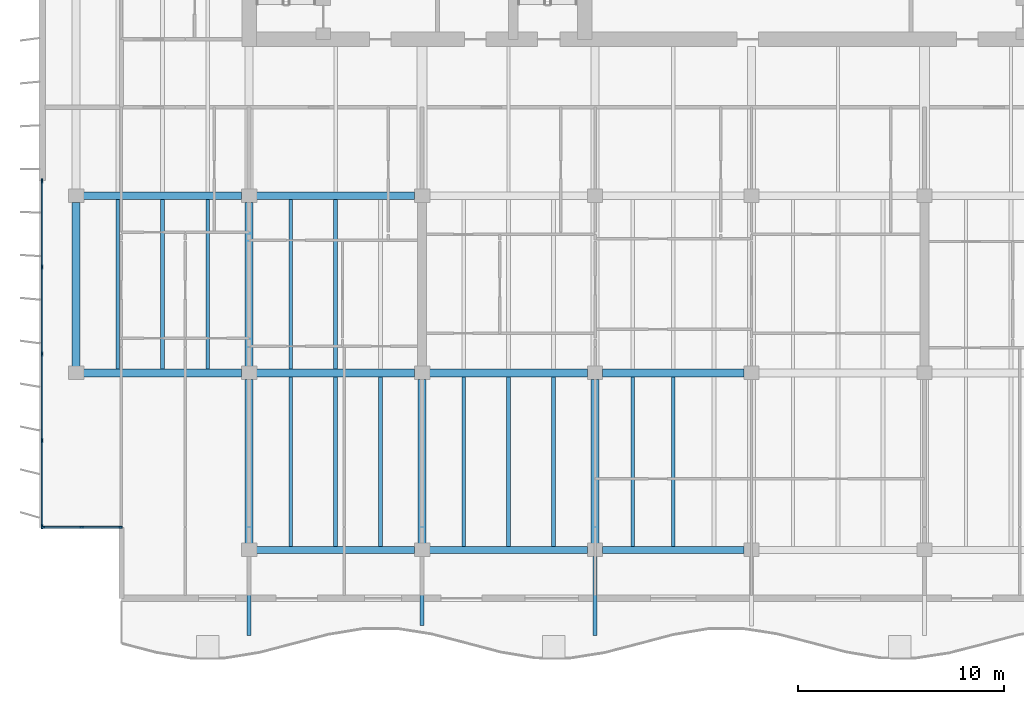
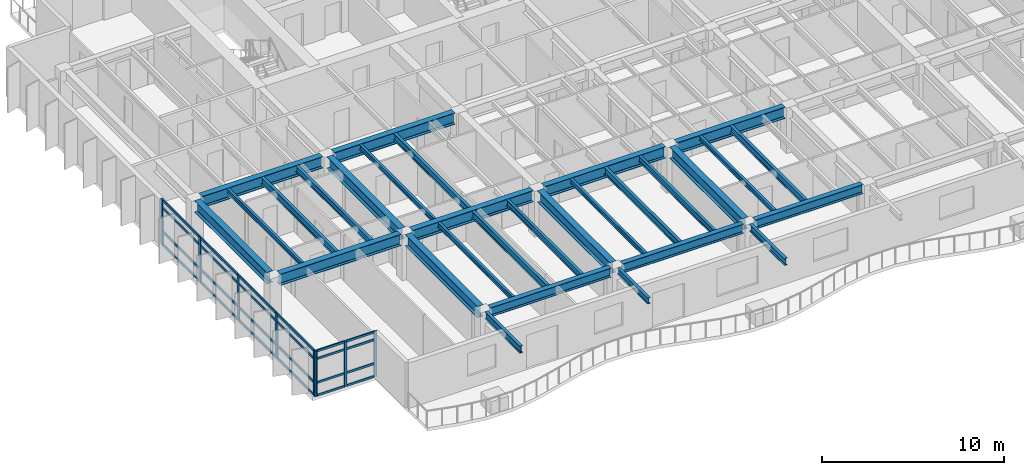
# One storey, part 2 of 17: 32 members, 30 beams, 2 elements without a shape of their own.
"""IFC4 building model written with IfcOpenShell, lengths in metres."""

from ifc_helpers import new_model, si_unit, direction, frame, origin, origin_2d, place, context, subcontext, project, spatial, rectangle, i_section, extrude, material, layer, layer_set, material_profile, profile_set, type_object, element, aggregate, save


model = new_model("IFC4")

# Units and contexts
model_context = context("Model", 3, precision=1e-05, world=origin(), true_north=direction((0.0, 1.0)))
body_context = subcontext(model_context, "Body", "Model", "MODEL_VIEW")
ifc_project = project(units=[si_unit("LENGTHUNIT", "METRE"), si_unit("AREAUNIT", "SQUARE_METRE"), si_unit("VOLUMEUNIT", "CUBIC_METRE"), si_unit("PLANEANGLEUNIT", "RADIAN"), si_unit("MASSUNIT", "GRAM", prefix="KILO")], contexts=[model_context])

# Site, building, storey
site_placement = place(None, origin())
site = spatial("IfcSite", under=ifc_project, at=site_placement, CompositionType="ELEMENT")
building_placement = place(site_placement, origin())
building = spatial("IfcBuilding", under=site, at=building_placement, Name="Caelmar Bay Residences", CompositionType="ELEMENT")
storey_placement = place(building_placement, frame((0.0, 0.0, 246.300048828125)))
storey = spatial("IfcBuildingStorey", under=building, at=storey_placement, Name="L69", CompositionType="ELEMENT", Elevation=246.300048828125)

# Beams
ifc_material_1 = material(Name="Steel ASTM A992 Grade 50", Category="steel")
ifc_material_profile_1 = material_profile(ifc_material_1, i_section(OverallWidth=0.177978515625, OverallDepth=0.406005859375, WebThickness=0.0078125, FlangeThickness=0.0126953125, FilletRadius=0.0087890625, at=origin_2d()), Name="W16X40")
ifc_profile_set_1 = profile_set([ifc_material_profile_1], Name="Steel ASTM A992 Grade 50")
beam_type_1 = type_object("IfcBeamType", Name="BM-BAL-W16X40", PredefinedType="JOIST", material=ifc_profile_set_1)
for number, where, z_axis, x_axis, name in (
    (1, (24.68408203125, 12.362548828125, 2.846923828125), (0.0, 1.0, 0.0), (-1.0, 0.0, 0.0), "L69 Composite Floor Joist 3"),
    (2, (33.083984375, 12.362548828125, 2.846923828125), (0.0, 1.0, 0.0), (-1.0, 0.0, 0.0), "L69 Composite Floor Joist 6"),
):
    element("IfcBeam", number, at=place(storey_placement, frame(where, z_axis=z_axis, x_axis=x_axis)), inside=storey, type_object=beam_type_1, Name=name, PredefinedType="JOIST", context=body_context, shape_type="SweptSolid", body=[
        extrude(i_section(OverallWidth=0.177978515625, OverallDepth=0.406005859375, WebThickness=0.0078125, FlangeThickness=0.0126953125, FilletRadius=0.0087890625, at=origin_2d()), origin(), (0.0, 0.0, 1.0), 8.2470703125),
    ])
beam_1_placement = place(storey_placement, frame((16.283935546875, 20.990478515625, 2.846923828125), z_axis=(0.0, 1.0, 0.0), x_axis=(-1.0, 0.0, 0.0)))
element("IfcBeam", 3, at=beam_1_placement, inside=storey, type_object=beam_type_1, Name="L69 Composite Floor Joist 18", PredefinedType="JOIST", context=body_context, shape_type="SweptSolid", body=[
    extrude(i_section(OverallWidth=0.177978515625, OverallDepth=0.406005859375, WebThickness=0.0078125, FlangeThickness=0.0126953125, FilletRadius=0.0087890625, at=origin_2d()), origin(), (0.0, 0.0, 1.0), 8.218994140625),
])
beam_2_placement = place(storey_placement, frame((26.699951171875, 11.885009765625, 2.846923828125), z_axis=(0.0, -1.0, 0.0), x_axis=(1.0, 0.0, 0.0)))
element("IfcBeam", 4, at=beam_2_placement, inside=storey, type_object=beam_type_1, Name="L70 South Balcony Cantilever Bracket 2", PredefinedType="JOIST", context=body_context, shape_type="SweptSolid", body=[
    extrude(i_section(OverallWidth=0.177978515625, OverallDepth=0.406005859375, WebThickness=0.0078125, FlangeThickness=0.0126953125, FilletRadius=0.0087890625, at=origin_2d()), origin(), (0.0, 0.0, 1.0), 3.3603515625),
])
ifc_material_profile_2 = material_profile(ifc_material_1, i_section(OverallWidth=0.193115234375, OverallDepth=0.467041015625, WebThickness=0.011474609375, FlangeThickness=0.01904296875, FilletRadius=0.01025390625, at=origin_2d()), Name="W18X65")
ifc_profile_set_2 = profile_set([ifc_material_profile_2], Name="Steel ASTM A992 Grade 50")
beam_type_2 = type_object("IfcBeamType", Name="BM-BAL-W18X65", PredefinedType="BEAM", material=ifc_profile_set_2)
for number, where, z_axis, x_axis, name in (
    (5, (18.300048828125, 11.885009765625, 2.81640625), (0.0, -1.0, 0.0), (1.0, 0.0, 0.0), "L70 South Balcony Cantilever Bracket 1"),
    (6, (35.10009765625, 11.885009765625, 2.81640625), (0.0, -1.0, 0.0), (1.0, 0.0, 0.0), "L70 South Balcony Cantilever Bracket 3"),
):
    element("IfcBeam", number, at=place(storey_placement, frame(where, z_axis=z_axis, x_axis=x_axis)), inside=storey, type_object=beam_type_2, Name=name, PredefinedType="BEAM", context=body_context, shape_type="SweptSolid", body=[
        extrude(i_section(OverallWidth=0.193115234375, OverallDepth=0.467041015625, WebThickness=0.011474609375, FlangeThickness=0.01904296875, FilletRadius=0.01025390625, at=origin_2d()), origin(), (0.0, 0.0, 1.0), 3.85009765625),
    ])
ifc_material_profile_3 = material_profile(ifc_material_1, i_section(OverallWidth=0.381103515625, OverallDepth=0.77197265625, WebThickness=0.0166015625, FlangeThickness=0.027099609375, FilletRadius=0.0166015625, at=origin_2d()), Name="W30X173")
ifc_profile_set_3 = profile_set([ifc_material_profile_3], Name="Steel ASTM A992 Grade 50")
beam_type_3 = type_object("IfcBeamType", Name="BM-GRD-W30X173", PredefinedType="BEAM", material=ifc_profile_set_3)
beam_3_placement = place(storey_placement, frame((10.264892578125, 20.800048828125, 2.6640625), z_axis=(1.0, 0.0, 0.0), x_axis=(0.0, 1.0, 0.0)))
element("IfcBeam", 7, at=beam_3_placement, inside=storey, type_object=beam_type_3, Name="L69 East-West Girder Y=20.80 (9.9-18.3)", PredefinedType="BEAM", context=body_context, shape_type="SweptSolid", body=[
    extrude(i_section(OverallWidth=0.381103515625, OverallDepth=0.77197265625, WebThickness=0.0166015625, FlangeThickness=0.027099609375, FilletRadius=0.0166015625, at=origin_2d()), origin(), (0.0, 0.0, 1.0), 7.670166015625),
])
beam_4_placement = place(storey_placement, frame((18.6650390625, 20.800048828125, 2.6640625), z_axis=(1.0, 0.0, 0.0), x_axis=(0.0, 1.0, 0.0)))
element("IfcBeam", 8, at=beam_4_placement, inside=storey, type_object=beam_type_3, Name="L69 East-West Girder Y=20.80 (18.3-26.7)", PredefinedType="BEAM", context=body_context, shape_type="SweptSolid", body=[
    extrude(i_section(OverallWidth=0.381103515625, OverallDepth=0.77197265625, WebThickness=0.0166015625, FlangeThickness=0.027099609375, FilletRadius=0.0166015625, at=origin_2d()), origin(), (0.0, 0.0, 1.0), 7.669921875),
])
beam_5_placement = place(storey_placement, frame((27.06494140625, 20.800048828125, 2.6640625), z_axis=(1.0, 0.0, 0.0), x_axis=(0.0, 1.0, 0.0)))
element("IfcBeam", 9, at=beam_5_placement, inside=storey, type_object=beam_type_3, Name="L69 East-West Girder Y=20.80 (26.7-35.1)", PredefinedType="BEAM", context=body_context, shape_type="SweptSolid", body=[
    extrude(i_section(OverallWidth=0.381103515625, OverallDepth=0.77197265625, WebThickness=0.0166015625, FlangeThickness=0.027099609375, FilletRadius=0.0166015625, at=origin_2d()), origin(), (0.0, 0.0, 1.0), 7.670166015625),
])
beam_6_placement = place(storey_placement, frame((35.465087890625, 20.800048828125, 2.6640625), z_axis=(1.0, 0.0, 0.0), x_axis=(0.0, 1.0, 0.0)))
element("IfcBeam", 10, at=beam_6_placement, inside=storey, type_object=beam_type_3, Name="L69 East-West Girder Y=20.80 (35.1-42.7)", PredefinedType="BEAM", context=body_context, shape_type="SweptSolid", body=[
    extrude(i_section(OverallWidth=0.381103515625, OverallDepth=0.77197265625, WebThickness=0.0166015625, FlangeThickness=0.027099609375, FilletRadius=0.0166015625, at=origin_2d()), origin(), (0.0, 0.0, 1.0), 6.869873046875),
])
beam_7_placement = place(storey_placement, frame((10.264892578125, 29.39990234375, 2.6640625), z_axis=(1.0, 0.0, 0.0), x_axis=(0.0, 1.0, 0.0)))
element("IfcBeam", 11, at=beam_7_placement, inside=storey, type_object=beam_type_3, Name="L69 East-West Girder Y=29.40 (9.9-18.3)", PredefinedType="BEAM", context=body_context, shape_type="SweptSolid", body=[
    extrude(i_section(OverallWidth=0.381103515625, OverallDepth=0.77197265625, WebThickness=0.0166015625, FlangeThickness=0.027099609375, FilletRadius=0.0166015625, at=origin_2d()), origin(), (0.0, 0.0, 1.0), 7.670166015625),
])
beam_8_placement = place(storey_placement, frame((18.6650390625, 29.39990234375, 2.6640625), z_axis=(1.0, 0.0, 0.0), x_axis=(0.0, 1.0, 0.0)))
element("IfcBeam", 12, at=beam_8_placement, inside=storey, type_object=beam_type_3, Name="L69 East-West Girder Y=29.40 (18.3-26.7)", PredefinedType="BEAM", context=body_context, shape_type="SweptSolid", body=[
    extrude(i_section(OverallWidth=0.381103515625, OverallDepth=0.77197265625, WebThickness=0.0166015625, FlangeThickness=0.027099609375, FilletRadius=0.0166015625, at=origin_2d()), origin(), (0.0, 0.0, 1.0), 7.669921875),
])
beam_9_placement = place(storey_placement, frame((9.89990234375, 21.114990234375, 2.6640625), z_axis=(0.0, 1.0, 0.0), x_axis=(-1.0, 0.0, 0.0)))
element("IfcBeam", 13, at=beam_9_placement, inside=storey, type_object=beam_type_3, Name="L69 North-South Girder X=9.90 (20.8-29.4)", PredefinedType="BEAM", context=body_context, shape_type="SweptSolid", body=[
    extrude(i_section(OverallWidth=0.381103515625, OverallDepth=0.77197265625, WebThickness=0.0166015625, FlangeThickness=0.027099609375, FilletRadius=0.0166015625, at=origin_2d()), origin(), (0.0, 0.0, 1.0), 7.969970703125),
])
beam_10_placement = place(storey_placement, frame((18.300048828125, 12.514892578125, 2.6640625), z_axis=(0.0, 1.0, 0.0), x_axis=(-1.0, 0.0, 0.0)))
element("IfcBeam", 14, at=beam_10_placement, inside=storey, type_object=beam_type_3, Name="L69 North-South Girder X=18.30 (12.2-20.8)", PredefinedType="BEAM", context=body_context, shape_type="SweptSolid", body=[
    extrude(i_section(OverallWidth=0.381103515625, OverallDepth=0.77197265625, WebThickness=0.0166015625, FlangeThickness=0.027099609375, FilletRadius=0.0166015625, at=origin_2d()), origin(), (0.0, 0.0, 1.0), 7.97021484375),
])
beam_11_placement = place(storey_placement, frame((18.300048828125, 21.114990234375, 2.6640625), z_axis=(0.0, 1.0, 0.0), x_axis=(-1.0, 0.0, 0.0)))
element("IfcBeam", 15, at=beam_11_placement, inside=storey, type_object=beam_type_3, Name="L69 North-South Girder X=18.30 (20.8-29.4)", PredefinedType="BEAM", context=body_context, shape_type="SweptSolid", body=[
    extrude(i_section(OverallWidth=0.381103515625, OverallDepth=0.77197265625, WebThickness=0.0166015625, FlangeThickness=0.027099609375, FilletRadius=0.0166015625, at=origin_2d()), origin(), (0.0, 0.0, 1.0), 7.969970703125),
])
for number, where, z_axis, x_axis, name in (
    (16, (26.699951171875, 12.514892578125, 2.6640625), (0.0, 1.0, 0.0), (-1.0, 0.0, 0.0), "L69 North-South Girder X=26.70 (12.2-20.8)"),
    (17, (35.10009765625, 12.514892578125, 2.6640625), (0.0, 1.0, 0.0), (-1.0, 0.0, 0.0), "L69 North-South Girder X=35.10 (12.2-20.8)"),
):
    element("IfcBeam", number, at=place(storey_placement, frame(where, z_axis=z_axis, x_axis=x_axis)), inside=storey, type_object=beam_type_3, Name=name, PredefinedType="BEAM", context=body_context, shape_type="SweptSolid", body=[
        extrude(i_section(OverallWidth=0.381103515625, OverallDepth=0.77197265625, WebThickness=0.0166015625, FlangeThickness=0.027099609375, FilletRadius=0.0166015625, at=origin_2d()), origin(), (0.0, 0.0, 1.0), 7.97021484375),
    ])
ifc_material_profile_4 = material_profile(ifc_material_1, i_section(OverallWidth=0.1650390625, OverallDepth=0.31005859375, WebThickness=0.005859375, FlangeThickness=0.009765625, FilletRadius=0.007568359375, at=origin_2d()), Name="W12X26")
ifc_profile_set_4 = profile_set([ifc_material_profile_4], Name="Steel ASTM A992 Grade 50")
beam_type_4 = type_object("IfcBeamType", Name="BM-JST-W12X26", PredefinedType="JOIST", material=ifc_profile_set_4)
for number, where, z_axis, x_axis, name in (
    (18, (20.31591796875, 12.362548828125, 2.89501953125), (0.0, 1.0, 0.0), (-1.0, 0.0, 0.0), "L69 Composite Floor Joist 1"),
    (19, (28.716064453125, 12.362548828125, 2.89501953125), (0.0, 1.0, 0.0), (-1.0, 0.0, 0.0), "L69 Composite Floor Joist 4"),
    (20, (36.924072265625, 12.362548828125, 2.89501953125), (0.0, 1.0, 0.0), (-1.0, 0.0, 0.0), "L69 Composite Floor Joist 7"),
):
    element("IfcBeam", number, at=place(storey_placement, frame(where, z_axis=z_axis, x_axis=x_axis)), inside=storey, type_object=beam_type_4, Name=name, PredefinedType="JOIST", context=body_context, shape_type="SweptSolid", body=[
        extrude(i_section(OverallWidth=0.1650390625, OverallDepth=0.31005859375, WebThickness=0.005859375, FlangeThickness=0.009765625, FilletRadius=0.007568359375, at=origin_2d()), origin(), (0.0, 0.0, 1.0), 8.2470703125),
    ])
for number, where, z_axis, x_axis, name in (
    (21, (11.916015625, 20.990478515625, 2.89501953125), (0.0, 1.0, 0.0), (-1.0, 0.0, 0.0), "L69 Composite Floor Joist 16"),
    (22, (20.31591796875, 20.990478515625, 2.89501953125), (0.0, 1.0, 0.0), (-1.0, 0.0, 0.0), "L69 Composite Floor Joist 19"),
):
    element("IfcBeam", number, at=place(storey_placement, frame(where, z_axis=z_axis, x_axis=x_axis)), inside=storey, type_object=beam_type_4, Name=name, PredefinedType="JOIST", context=body_context, shape_type="SweptSolid", body=[
        extrude(i_section(OverallWidth=0.1650390625, OverallDepth=0.31005859375, WebThickness=0.005859375, FlangeThickness=0.009765625, FilletRadius=0.007568359375, at=origin_2d()), origin(), (0.0, 0.0, 1.0), 8.218994140625),
    ])
ifc_material_profile_5 = material_profile(ifc_material_1, i_section(OverallWidth=0.19091796875, OverallDepth=0.45703125, WebThickness=0.009033203125, FlangeThickness=0.014404296875, FilletRadius=0.01025390625, at=origin_2d()), Name="W18X50")
ifc_profile_set_5 = profile_set([ifc_material_profile_5], Name="Steel ASTM A992 Grade 50")
beam_type_5 = type_object("IfcBeamType", Name="BM-JST-W18X50", PredefinedType="JOIST", material=ifc_profile_set_5)
for number, where, z_axis, x_axis, name in (
    (23, (22.5, 12.362548828125, 2.821533203125), (0.0, 1.0, 0.0), (-1.0, 0.0, 0.0), "L69 Composite Floor Joist 2"),
    (24, (30.89990234375, 12.362548828125, 2.821533203125), (0.0, 1.0, 0.0), (-1.0, 0.0, 0.0), "L69 Composite Floor Joist 5"),
    (25, (38.89990234375, 12.362548828125, 2.821533203125), (0.0, 1.0, 0.0), (-1.0, 0.0, 0.0), "L69 Composite Floor Joist 8"),
):
    element("IfcBeam", number, at=place(storey_placement, frame(where, z_axis=z_axis, x_axis=x_axis)), inside=storey, type_object=beam_type_5, Name=name, PredefinedType="JOIST", context=body_context, shape_type="SweptSolid", body=[
        extrude(i_section(OverallWidth=0.19091796875, OverallDepth=0.45703125, WebThickness=0.009033203125, FlangeThickness=0.014404296875, FilletRadius=0.01025390625, at=origin_2d()), origin(), (0.0, 0.0, 1.0), 8.2470703125),
    ])
for number, where, z_axis, x_axis, name in (
    (26, (14.10009765625, 20.990478515625, 2.821533203125), (0.0, 1.0, 0.0), (-1.0, 0.0, 0.0), "L69 Composite Floor Joist 17"),
    (27, (22.5, 20.990478515625, 2.821533203125), (0.0, 1.0, 0.0), (-1.0, 0.0, 0.0), "L69 Composite Floor Joist 20"),
):
    element("IfcBeam", number, at=place(storey_placement, frame(where, z_axis=z_axis, x_axis=x_axis)), inside=storey, type_object=beam_type_5, Name=name, PredefinedType="JOIST", context=body_context, shape_type="SweptSolid", body=[
        extrude(i_section(OverallWidth=0.19091796875, OverallDepth=0.45703125, WebThickness=0.009033203125, FlangeThickness=0.014404296875, FilletRadius=0.01025390625, at=origin_2d()), origin(), (0.0, 0.0, 1.0), 8.218994140625),
    ])
ifc_material_profile_6 = material_profile(ifc_material_1, i_section(OverallWidth=0.324951171875, OverallDepth=0.616943359375, WebThickness=0.013916015625, FlangeThickness=0.021484375, FilletRadius=0.0126953125, at=origin_2d()), Name="W24X117")
ifc_profile_set_6 = profile_set([ifc_material_profile_6], Name="Steel ASTM A992 Grade 50")
beam_type_6 = type_object("IfcBeamType", Name="BM-SPN-W24X117", PredefinedType="SPANDREL", material=ifc_profile_set_6)
beam_12_placement = place(storey_placement, frame((18.6650390625, 12.199951171875, 2.741455078125), z_axis=(1.0, 0.0, 0.0), x_axis=(0.0, 1.0, 0.0)))
element("IfcBeam", 28, at=beam_12_placement, inside=storey, type_object=beam_type_6, Name="L69 East-West Girder Y=12.20 (18.3-26.7)", PredefinedType="SPANDREL", context=body_context, shape_type="SweptSolid", body=[
    extrude(i_section(OverallWidth=0.324951171875, OverallDepth=0.616943359375, WebThickness=0.013916015625, FlangeThickness=0.021484375, FilletRadius=0.0126953125, at=origin_2d()), origin(), (0.0, 0.0, 1.0), 7.669921875),
])
beam_13_placement = place(storey_placement, frame((27.06494140625, 12.199951171875, 2.741455078125), z_axis=(1.0, 0.0, 0.0), x_axis=(0.0, 1.0, 0.0)))
element("IfcBeam", 29, at=beam_13_placement, inside=storey, type_object=beam_type_6, Name="L69 East-West Girder Y=12.20 (26.7-35.1)", PredefinedType="SPANDREL", context=body_context, shape_type="SweptSolid", body=[
    extrude(i_section(OverallWidth=0.324951171875, OverallDepth=0.616943359375, WebThickness=0.013916015625, FlangeThickness=0.021484375, FilletRadius=0.0126953125, at=origin_2d()), origin(), (0.0, 0.0, 1.0), 7.670166015625),
])
beam_14_placement = place(storey_placement, frame((35.465087890625, 12.199951171875, 2.741455078125), z_axis=(1.0, 0.0, 0.0), x_axis=(0.0, 1.0, 0.0)))
element("IfcBeam", 30, at=beam_14_placement, inside=storey, type_object=beam_type_6, Name="L69 East-West Girder Y=12.20 (35.1-42.7)", PredefinedType="SPANDREL", context=body_context, shape_type="SweptSolid", body=[
    extrude(i_section(OverallWidth=0.324951171875, OverallDepth=0.616943359375, WebThickness=0.013916015625, FlangeThickness=0.021484375, FilletRadius=0.0126953125, at=origin_2d()), origin(), (0.0, 0.0, 1.0), 6.869873046875),
])

# Curtain wall, members
ifc_material_2 = material(Name="Anodised bronze aluminium 6063-T6 and laminated glass", Category="aluminium")
ifc_layer_1 = layer(ifc_material_2, 0.179931640625)
ifc_layer_set_1 = layer_set([ifc_layer_1], Name="Anodised bronze aluminium 6063-T6 and laminated glass")
curtain_wall_type_1 = type_object("IfcCurtainWallType", Name="CW6-NTC", PredefinedType="NOTDEFINED", material=ifc_layer_set_1)
curtain_wall_1_placement = place(storey_placement, origin())
curtain_wall_1 = element("IfcCurtainWall", 31, at=curtain_wall_1_placement, inside=storey, type_object=curtain_wall_type_1, Name="CW6 curtain wall L69", PredefinedType="NOTDEFINED")
ifc_material_3 = material(Name="Anodised bronze aluminium 6063-T6", Category="aluminium")
ifc_material_profile_7 = material_profile(ifc_material_3, rectangle(XDim=0.080078125, YDim=0.179931640625, at=origin_2d()), Name="CWM-80X180")
ifc_profile_set_7 = profile_set([ifc_material_profile_7], Name="Anodised bronze aluminium 6063-T6")
member_type_1 = type_object("IfcMemberType", Name="CWM-180", PredefinedType="MULLION", material=ifc_profile_set_7)
member_1_placement = place(storey_placement, frame((8.2900390625, 13.300048828125, 0.0), z_axis=(0.0, 0.0, 1.0), x_axis=(0.0, 1.0, 0.0)))
member_1 = element("IfcMember", 32, at=member_1_placement, type_object=member_type_1, Name="CW6 mullion 1", PredefinedType="MULLION", context=body_context, shape_type="SweptSolid", body=[
    extrude(rectangle(XDim=0.080078125, YDim=0.179931640625, at=origin_2d()), origin(), (0.0, 0.0, 1.0), 3.050048828125),
])
member_2_placement = place(storey_placement, frame((10.175048828125, 13.300048828125, 0.0), z_axis=(0.0, 0.0, 1.0), x_axis=(0.0, 1.0, 0.0)))
member_2 = element("IfcMember", 33, at=member_2_placement, type_object=member_type_1, Name="CW6 mullion 2", PredefinedType="MULLION", context=body_context, shape_type="SweptSolid", body=[
    extrude(rectangle(XDim=0.080078125, YDim=0.179931640625, at=origin_2d()), origin(), (0.0, 0.0, 1.0), 3.050048828125),
])
member_3_placement = place(storey_placement, frame((12.06005859375, 13.300048828125, 0.0), z_axis=(0.0, 0.0, 1.0), x_axis=(0.0, 1.0, 0.0)))
member_3 = element("IfcMember", 34, at=member_3_placement, type_object=member_type_1, Name="CW6 mullion 3", PredefinedType="MULLION", context=body_context, shape_type="SweptSolid", body=[
    extrude(rectangle(XDim=0.080078125, YDim=0.179931640625, at=origin_2d()), origin(), (0.0, 0.0, 1.0), 3.050048828125),
])

ifc_layer_2 = layer(ifc_material_2, 0.179931640625)
ifc_layer_set_2 = layer_set([ifc_layer_2], Name="Anodised bronze aluminium 6063-T6 and laminated glass")
curtain_wall_type_2 = type_object("IfcCurtainWallType", Name="CW5-Z4", PredefinedType="NOTDEFINED", material=ifc_layer_set_2)
curtain_wall_2_placement = place(storey_placement, origin())
curtain_wall_2 = element("IfcCurtainWall", 35, at=curtain_wall_2_placement, inside=storey, type_object=curtain_wall_type_2, Name="CW5 curtain wall L69", PredefinedType="NOTDEFINED")
ifc_material_profile_8 = material_profile(ifc_material_3, rectangle(XDim=0.080078125, YDim=0.219970703125, at=origin_2d()), Name="CWM-80X220")
ifc_profile_set_8 = profile_set([ifc_material_profile_8], Name="Anodised bronze aluminium 6063-T6")
member_type_2 = type_object("IfcMemberType", Name="CWM-220", PredefinedType="MULLION", material=ifc_profile_set_8)
member_4_placement = place(storey_placement, frame((8.25, 13.340087890625, 0.0), z_axis=(0.0, 0.0, 1.0), x_axis=(-1.0, 0.0, 0.0)))
member_4 = element("IfcMember", 36, at=member_4_placement, type_object=member_type_2, Name="CW5 mullion 1", PredefinedType="MULLION", context=body_context, shape_type="SweptSolid", body=[
    extrude(rectangle(XDim=0.080078125, YDim=0.219970703125, at=origin_2d()), origin(), (0.0, 0.0, 1.0), 3.050048828125),
])
member_5_placement = place(storey_placement, frame((8.25, 17.512451171875, 0.0), z_axis=(0.0, 0.0, 1.0), x_axis=(-1.0, 0.0, 0.0)))
member_5 = element("IfcMember", 37, at=member_5_placement, type_object=member_type_2, Name="CW5 mullion 2", PredefinedType="MULLION", context=body_context, shape_type="SweptSolid", body=[
    extrude(rectangle(XDim=0.080078125, YDim=0.219970703125, at=origin_2d()), origin(), (0.0, 0.0, 1.0), 3.050048828125),
])
member_6_placement = place(storey_placement, frame((8.25, 21.72509765625, 0.0), z_axis=(0.0, 0.0, 1.0), x_axis=(-1.0, 0.0, 0.0)))
member_6 = element("IfcMember", 38, at=member_6_placement, type_object=member_type_2, Name="CW5 mullion 3", PredefinedType="MULLION", context=body_context, shape_type="SweptSolid", body=[
    extrude(rectangle(XDim=0.080078125, YDim=0.219970703125, at=origin_2d()), origin(), (0.0, 0.0, 1.0), 3.050048828125),
])
member_7_placement = place(storey_placement, frame((8.25, 25.9375, 0.0), z_axis=(0.0, 0.0, 1.0), x_axis=(-1.0, 0.0, 0.0)))
member_7 = element("IfcMember", 39, at=member_7_placement, type_object=member_type_2, Name="CW5 mullion 4", PredefinedType="MULLION", context=body_context, shape_type="SweptSolid", body=[
    extrude(rectangle(XDim=0.080078125, YDim=0.219970703125, at=origin_2d()), origin(), (0.0, 0.0, 1.0), 3.050048828125),
])
member_8_placement = place(storey_placement, frame((8.25, 30.110107421875, 0.0), z_axis=(0.0, 0.0, 1.0), x_axis=(-1.0, 0.0, 0.0)))
member_8 = element("IfcMember", 40, at=member_8_placement, type_object=member_type_2, Name="CW5 mullion 5", PredefinedType="MULLION", context=body_context, shape_type="SweptSolid", body=[
    extrude(rectangle(XDim=0.080078125, YDim=0.219970703125, at=origin_2d()), origin(), (0.0, 0.0, 1.0), 3.050048828125),
])

# Member
ifc_material_profile_9 = material_profile(ifc_material_3, rectangle(XDim=0.080078125, YDim=0.139892578125, at=origin_2d()), Name="CWT-80X140")
ifc_profile_set_9 = profile_set([ifc_material_profile_9], Name="Anodised bronze aluminium 6063-T6")
member_type_3 = type_object("IfcMemberType", Name="CWT-140", PredefinedType="NOTDEFINED", material=ifc_profile_set_9)
member_9_placement = place(storey_placement, frame((8.330078125, 13.300048828125, 0.0400390625), z_axis=(1.0, 0.0, 0.0), x_axis=(0.0, 1.0, 0.0)))
member_9 = element("IfcMember", 41, at=member_9_placement, type_object=member_type_3, Name="CW6 transom 1.1", ObjectType="TRANSOM", PredefinedType="USERDEFINED", context=body_context, shape_type="SweptSolid", body=[
    extrude(rectangle(XDim=0.080078125, YDim=0.139892578125, at=origin_2d()), origin(), (0.0, 0.0, 1.0), 1.804931640625),
])

member_10_placement = place(storey_placement, frame((8.330078125, 13.300048828125, 0.89990234375), z_axis=(1.0, 0.0, 0.0), x_axis=(0.0, 1.0, 0.0)))
member_10 = element("IfcMember", 42, at=member_10_placement, type_object=member_type_3, Name="CW6 transom 1.2", ObjectType="TRANSOM", PredefinedType="USERDEFINED", context=body_context, shape_type="SweptSolid", body=[
    extrude(rectangle(XDim=0.080078125, YDim=0.139892578125, at=origin_2d()), origin(), (0.0, 0.0, 1.0), 1.804931640625),
])

member_11_placement = place(storey_placement, frame((8.330078125, 13.300048828125, 2.5), z_axis=(1.0, 0.0, 0.0), x_axis=(0.0, 1.0, 0.0)))
member_11 = element("IfcMember", 43, at=member_11_placement, type_object=member_type_3, Name="CW6 transom 1.3", ObjectType="TRANSOM", PredefinedType="USERDEFINED", context=body_context, shape_type="SweptSolid", body=[
    extrude(rectangle(XDim=0.080078125, YDim=0.139892578125, at=origin_2d()), origin(), (0.0, 0.0, 1.0), 1.804931640625),
])

member_12_placement = place(storey_placement, frame((8.330078125, 13.300048828125, 3.010009765625), z_axis=(1.0, 0.0, 0.0), x_axis=(0.0, 1.0, 0.0)))
member_12 = element("IfcMember", 44, at=member_12_placement, type_object=member_type_3, Name="CW6 transom 1.4", ObjectType="TRANSOM", PredefinedType="USERDEFINED", context=body_context, shape_type="SweptSolid", body=[
    extrude(rectangle(XDim=0.080078125, YDim=0.139892578125, at=origin_2d()), origin(), (0.0, 0.0, 1.0), 1.804931640625),
])

member_13_placement = place(storey_placement, frame((10.215087890625, 13.300048828125, 0.0400390625), z_axis=(1.0, 0.0, 0.0), x_axis=(0.0, 1.0, 0.0)))
member_13 = element("IfcMember", 45, at=member_13_placement, type_object=member_type_3, Name="CW6 transom 2.1", ObjectType="TRANSOM", PredefinedType="USERDEFINED", context=body_context, shape_type="SweptSolid", body=[
    extrude(rectangle(XDim=0.080078125, YDim=0.139892578125, at=origin_2d()), origin(), (0.0, 0.0, 1.0), 1.804931640625),
])

member_14_placement = place(storey_placement, frame((10.215087890625, 13.300048828125, 0.89990234375), z_axis=(1.0, 0.0, 0.0), x_axis=(0.0, 1.0, 0.0)))
member_14 = element("IfcMember", 46, at=member_14_placement, type_object=member_type_3, Name="CW6 transom 2.2", ObjectType="TRANSOM", PredefinedType="USERDEFINED", context=body_context, shape_type="SweptSolid", body=[
    extrude(rectangle(XDim=0.080078125, YDim=0.139892578125, at=origin_2d()), origin(), (0.0, 0.0, 1.0), 1.804931640625),
])

member_15_placement = place(storey_placement, frame((10.215087890625, 13.300048828125, 2.5), z_axis=(1.0, 0.0, 0.0), x_axis=(0.0, 1.0, 0.0)))
member_15 = element("IfcMember", 47, at=member_15_placement, type_object=member_type_3, Name="CW6 transom 2.3", ObjectType="TRANSOM", PredefinedType="USERDEFINED", context=body_context, shape_type="SweptSolid", body=[
    extrude(rectangle(XDim=0.080078125, YDim=0.139892578125, at=origin_2d()), origin(), (0.0, 0.0, 1.0), 1.804931640625),
])

member_16_placement = place(storey_placement, frame((10.215087890625, 13.300048828125, 3.010009765625), z_axis=(1.0, 0.0, 0.0), x_axis=(0.0, 1.0, 0.0)))
member_16 = element("IfcMember", 48, at=member_16_placement, type_object=member_type_3, Name="CW6 transom 2.4", ObjectType="TRANSOM", PredefinedType="USERDEFINED", context=body_context, shape_type="SweptSolid", body=[
    extrude(rectangle(XDim=0.080078125, YDim=0.139892578125, at=origin_2d()), origin(), (0.0, 0.0, 1.0), 1.804931640625),
])

aggregate(curtain_wall_1, [member_1, member_2, member_3, member_9, member_10, member_11, member_12, member_13, member_14, member_15, member_16])

ifc_material_profile_10 = material_profile(ifc_material_3, rectangle(XDim=0.080078125, YDim=0.159912109375, at=origin_2d()), Name="CWT-80X160")
ifc_profile_set_10 = profile_set([ifc_material_profile_10], Name="Anodised bronze aluminium 6063-T6")
member_type_4 = type_object("IfcMemberType", Name="CWT-160", PredefinedType="NOTDEFINED", material=ifc_profile_set_10)
member_17_placement = place(storey_placement, frame((8.25, 13.3798828125, 0.0400390625), z_axis=(0.0, 1.0, 0.0), x_axis=(-1.0, 0.0, 0.0)))
member_17 = element("IfcMember", 49, at=member_17_placement, type_object=member_type_4, Name="CW5 transom 1.1", ObjectType="TRANSOM", PredefinedType="USERDEFINED", context=body_context, shape_type="SweptSolid", body=[
    extrude(rectangle(XDim=0.080078125, YDim=0.159912109375, at=origin_2d()), origin(), (0.0, 0.0, 1.0), 4.092529296875),
])

member_18_placement = place(storey_placement, frame((8.25, 13.3798828125, 0.89990234375), z_axis=(0.0, 1.0, 0.0), x_axis=(-1.0, 0.0, 0.0)))
member_18 = element("IfcMember", 50, at=member_18_placement, type_object=member_type_4, Name="CW5 transom 1.2", ObjectType="TRANSOM", PredefinedType="USERDEFINED", context=body_context, shape_type="SweptSolid", body=[
    extrude(rectangle(XDim=0.080078125, YDim=0.159912109375, at=origin_2d()), origin(), (0.0, 0.0, 1.0), 4.092529296875),
])

member_19_placement = place(storey_placement, frame((8.25, 13.3798828125, 2.5), z_axis=(0.0, 1.0, 0.0), x_axis=(-1.0, 0.0, 0.0)))
member_19 = element("IfcMember", 51, at=member_19_placement, type_object=member_type_4, Name="CW5 transom 1.3", ObjectType="TRANSOM", PredefinedType="USERDEFINED", context=body_context, shape_type="SweptSolid", body=[
    extrude(rectangle(XDim=0.080078125, YDim=0.159912109375, at=origin_2d()), origin(), (0.0, 0.0, 1.0), 4.092529296875),
])

member_20_placement = place(storey_placement, frame((8.25, 13.3798828125, 3.010009765625), z_axis=(0.0, 1.0, 0.0), x_axis=(-1.0, 0.0, 0.0)))
member_20 = element("IfcMember", 52, at=member_20_placement, type_object=member_type_4, Name="CW5 transom 1.4", ObjectType="TRANSOM", PredefinedType="USERDEFINED", context=body_context, shape_type="SweptSolid", body=[
    extrude(rectangle(XDim=0.080078125, YDim=0.159912109375, at=origin_2d()), origin(), (0.0, 0.0, 1.0), 4.092529296875),
])

member_21_placement = place(storey_placement, frame((8.25, 17.552490234375, 0.0400390625), z_axis=(0.0, 1.0, 0.0), x_axis=(-1.0, 0.0, 0.0)))
member_21 = element("IfcMember", 53, at=member_21_placement, type_object=member_type_4, Name="CW5 transom 2.1", ObjectType="TRANSOM", PredefinedType="USERDEFINED", context=body_context, shape_type="SweptSolid", body=[
    extrude(rectangle(XDim=0.080078125, YDim=0.159912109375, at=origin_2d()), origin(), (0.0, 0.0, 1.0), 4.132568359375),
])

member_22_placement = place(storey_placement, frame((8.25, 17.552490234375, 0.89990234375), z_axis=(0.0, 1.0, 0.0), x_axis=(-1.0, 0.0, 0.0)))
member_22 = element("IfcMember", 54, at=member_22_placement, type_object=member_type_4, Name="CW5 transom 2.2", ObjectType="TRANSOM", PredefinedType="USERDEFINED", context=body_context, shape_type="SweptSolid", body=[
    extrude(rectangle(XDim=0.080078125, YDim=0.159912109375, at=origin_2d()), origin(), (0.0, 0.0, 1.0), 4.132568359375),
])

member_23_placement = place(storey_placement, frame((8.25, 17.552490234375, 2.5), z_axis=(0.0, 1.0, 0.0), x_axis=(-1.0, 0.0, 0.0)))
member_23 = element("IfcMember", 55, at=member_23_placement, type_object=member_type_4, Name="CW5 transom 2.3", ObjectType="TRANSOM", PredefinedType="USERDEFINED", context=body_context, shape_type="SweptSolid", body=[
    extrude(rectangle(XDim=0.080078125, YDim=0.159912109375, at=origin_2d()), origin(), (0.0, 0.0, 1.0), 4.132568359375),
])

member_24_placement = place(storey_placement, frame((8.25, 17.552490234375, 3.010009765625), z_axis=(0.0, 1.0, 0.0), x_axis=(-1.0, 0.0, 0.0)))
member_24 = element("IfcMember", 56, at=member_24_placement, type_object=member_type_4, Name="CW5 transom 2.4", ObjectType="TRANSOM", PredefinedType="USERDEFINED", context=body_context, shape_type="SweptSolid", body=[
    extrude(rectangle(XDim=0.080078125, YDim=0.159912109375, at=origin_2d()), origin(), (0.0, 0.0, 1.0), 4.132568359375),
])

member_25_placement = place(storey_placement, frame((8.25, 21.764892578125, 0.0400390625), z_axis=(0.0, 1.0, 0.0), x_axis=(-1.0, 0.0, 0.0)))
member_25 = element("IfcMember", 57, at=member_25_placement, type_object=member_type_4, Name="CW5 transom 3.1", ObjectType="TRANSOM", PredefinedType="USERDEFINED", context=body_context, shape_type="SweptSolid", body=[
    extrude(rectangle(XDim=0.080078125, YDim=0.159912109375, at=origin_2d()), origin(), (0.0, 0.0, 1.0), 4.132568359375),
])

member_26_placement = place(storey_placement, frame((8.25, 21.764892578125, 0.89990234375), z_axis=(0.0, 1.0, 0.0), x_axis=(-1.0, 0.0, 0.0)))
member_26 = element("IfcMember", 58, at=member_26_placement, type_object=member_type_4, Name="CW5 transom 3.2", ObjectType="TRANSOM", PredefinedType="USERDEFINED", context=body_context, shape_type="SweptSolid", body=[
    extrude(rectangle(XDim=0.080078125, YDim=0.159912109375, at=origin_2d()), origin(), (0.0, 0.0, 1.0), 4.132568359375),
])

member_27_placement = place(storey_placement, frame((8.25, 21.764892578125, 2.5), z_axis=(0.0, 1.0, 0.0), x_axis=(-1.0, 0.0, 0.0)))
member_27 = element("IfcMember", 59, at=member_27_placement, type_object=member_type_4, Name="CW5 transom 3.3", ObjectType="TRANSOM", PredefinedType="USERDEFINED", context=body_context, shape_type="SweptSolid", body=[
    extrude(rectangle(XDim=0.080078125, YDim=0.159912109375, at=origin_2d()), origin(), (0.0, 0.0, 1.0), 4.132568359375),
])

member_28_placement = place(storey_placement, frame((8.25, 21.764892578125, 3.010009765625), z_axis=(0.0, 1.0, 0.0), x_axis=(-1.0, 0.0, 0.0)))
member_28 = element("IfcMember", 60, at=member_28_placement, type_object=member_type_4, Name="CW5 transom 3.4", ObjectType="TRANSOM", PredefinedType="USERDEFINED", context=body_context, shape_type="SweptSolid", body=[
    extrude(rectangle(XDim=0.080078125, YDim=0.159912109375, at=origin_2d()), origin(), (0.0, 0.0, 1.0), 4.132568359375),
])

member_29_placement = place(storey_placement, frame((8.25, 25.9775390625, 0.0400390625), z_axis=(0.0, 1.0, 0.0), x_axis=(-1.0, 0.0, 0.0)))
member_29 = element("IfcMember", 61, at=member_29_placement, type_object=member_type_4, Name="CW5 transom 4.1", ObjectType="TRANSOM", PredefinedType="USERDEFINED", context=body_context, shape_type="SweptSolid", body=[
    extrude(rectangle(XDim=0.080078125, YDim=0.159912109375, at=origin_2d()), origin(), (0.0, 0.0, 1.0), 4.092529296875),
])

member_30_placement = place(storey_placement, frame((8.25, 25.9775390625, 0.89990234375), z_axis=(0.0, 1.0, 0.0), x_axis=(-1.0, 0.0, 0.0)))
member_30 = element("IfcMember", 62, at=member_30_placement, type_object=member_type_4, Name="CW5 transom 4.2", ObjectType="TRANSOM", PredefinedType="USERDEFINED", context=body_context, shape_type="SweptSolid", body=[
    extrude(rectangle(XDim=0.080078125, YDim=0.159912109375, at=origin_2d()), origin(), (0.0, 0.0, 1.0), 4.092529296875),
])

member_31_placement = place(storey_placement, frame((8.25, 25.9775390625, 2.5), z_axis=(0.0, 1.0, 0.0), x_axis=(-1.0, 0.0, 0.0)))
member_31 = element("IfcMember", 63, at=member_31_placement, type_object=member_type_4, Name="CW5 transom 4.3", ObjectType="TRANSOM", PredefinedType="USERDEFINED", context=body_context, shape_type="SweptSolid", body=[
    extrude(rectangle(XDim=0.080078125, YDim=0.159912109375, at=origin_2d()), origin(), (0.0, 0.0, 1.0), 4.092529296875),
])

member_32_placement = place(storey_placement, frame((8.25, 25.9775390625, 3.010009765625), z_axis=(0.0, 1.0, 0.0), x_axis=(-1.0, 0.0, 0.0)))
member_32 = element("IfcMember", 64, at=member_32_placement, type_object=member_type_4, Name="CW5 transom 4.4", ObjectType="TRANSOM", PredefinedType="USERDEFINED", context=body_context, shape_type="SweptSolid", body=[
    extrude(rectangle(XDim=0.080078125, YDim=0.159912109375, at=origin_2d()), origin(), (0.0, 0.0, 1.0), 4.092529296875),
])

aggregate(curtain_wall_2, [member_4, member_5, member_6, member_7, member_8, member_17, member_18, member_19, member_20, member_21, member_22, member_23, member_24, member_25, member_26, member_27, member_28, member_29, member_30, member_31, member_32])

save(model, "model.ifc")
